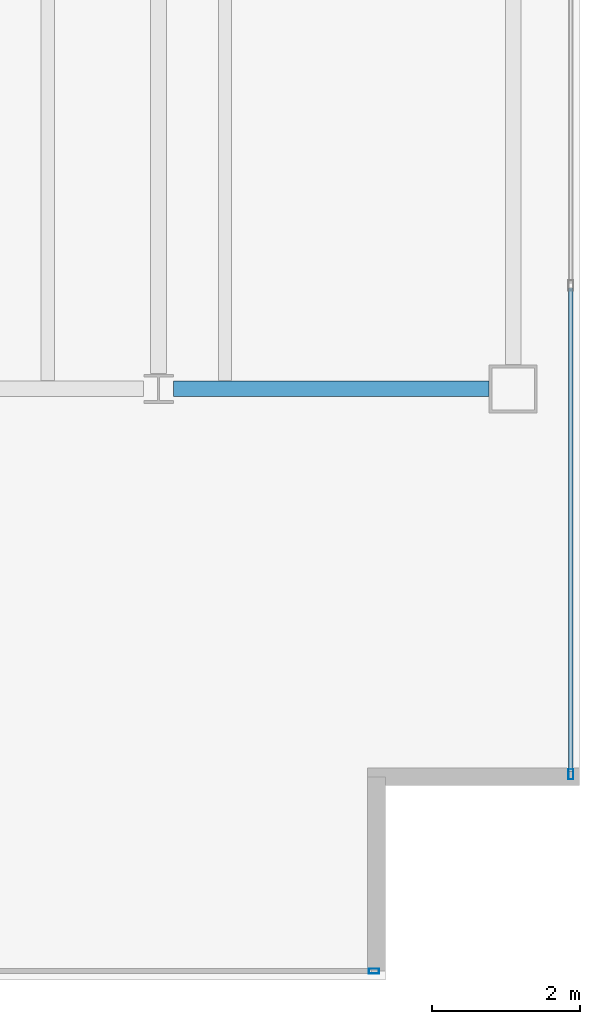
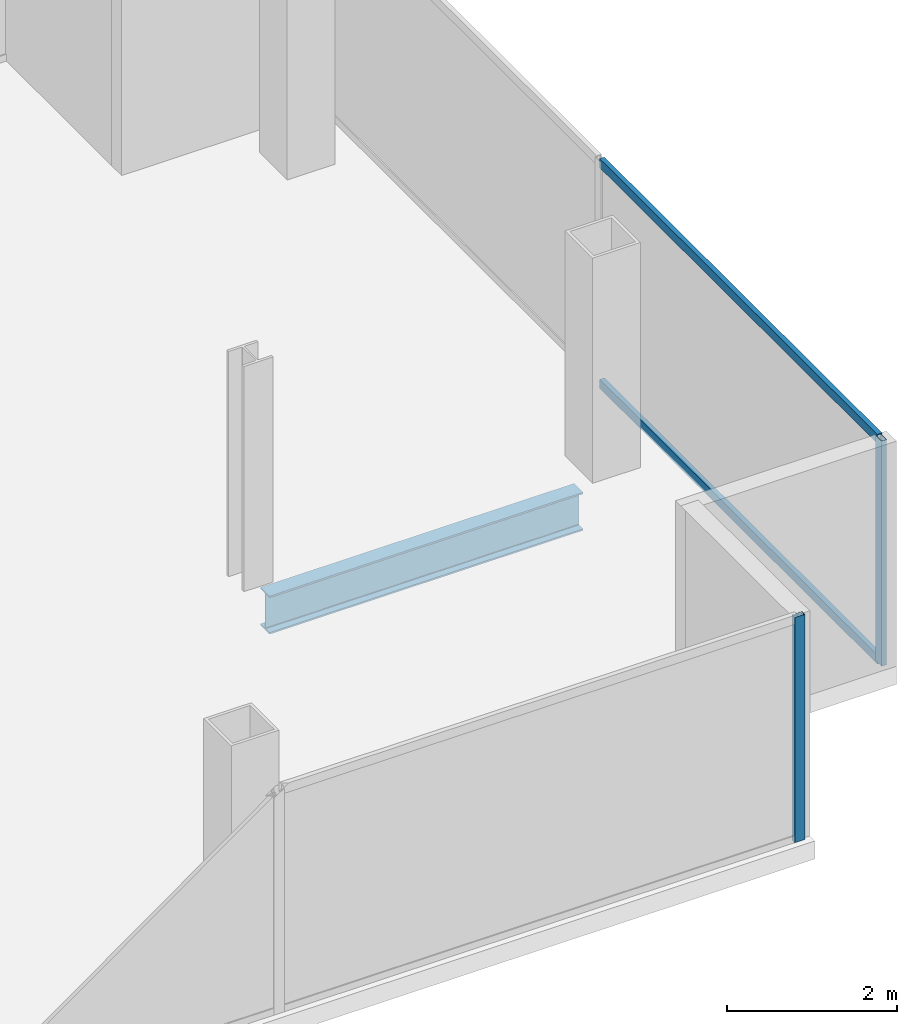
# One storey, part 14 of 23: 4 members, 1 beam, 2 elements without a shape of their own.
"""IFC4 building model written with IfcOpenShell, lengths in metres."""

from ifc_helpers import new_model, si_unit, direction, frame, origin, origin_2d, place, context, subcontext, project, spatial, hollow_rectangle, i_section, extrude, material, material_profile, profile_set, type_object, element, aggregate, save


model = new_model("IFC4")

# Units and contexts
model_context = context("Model", 3, precision=1e-05, world=origin(), true_north=direction((0.0, 1.0)))
body_context = subcontext(model_context, "Body", "Model", "MODEL_VIEW")
ifc_project = project(units=[si_unit("LENGTHUNIT", "METRE"), si_unit("AREAUNIT", "SQUARE_METRE"), si_unit("VOLUMEUNIT", "CUBIC_METRE"), si_unit("PLANEANGLEUNIT", "RADIAN"), si_unit("MASSUNIT", "GRAM", prefix="KILO")], contexts=[model_context])

# Site, building, storey
site_placement = place(None, origin())
site = spatial("IfcSite", under=ifc_project, at=site_placement, CompositionType="ELEMENT")
building_placement = place(site_placement, origin())
building = spatial("IfcBuilding", under=site, at=building_placement, Name="Cobrela Telecom Tower", CompositionType="ELEMENT")
storey_placement = place(building_placement, frame((0.0, 0.0, 276.14990234375)))
storey = spatial("IfcBuildingStorey", under=building, at=storey_placement, Name="L72", CompositionType="ELEMENT", Elevation=276.14990234375)

# Beam
ifc_material_1 = material(Name="Steel ASTM A992 Grade 50", Category="steel")
ifc_material_profile_1 = material_profile(ifc_material_1, i_section(OverallWidth=0.212890625, OverallDepth=0.549072265625, WebThickness=0.0146484375, FlangeThickness=0.023681640625, FilletRadius=0.013916015625, at=origin_2d()), Name="W21X93")
ifc_profile_set_1 = profile_set([ifc_material_profile_1], Name="Steel ASTM A992 Grade 50")
beam_type = type_object("IfcBeamType", Name="BM-GIRD-08", PredefinedType="USERDEFINED", material=ifc_profile_set_1)
beam_placement = place(storey_placement, frame((40.1044921875, 14.39990234375, -0.534423828125), z_axis=(1.0, 0.0, 0.0), x_axis=(0.0, 1.0, 0.0)))
element("IfcBeam", 1, at=beam_placement, inside=storey, type_object=beam_type, Name="L72 Primary Girder X09", ObjectType="GIRDER", PredefinedType="USERDEFINED", context=body_context, shape_type="SweptSolid", body=[
    extrude(i_section(OverallWidth=0.212890625, OverallDepth=0.549072265625, WebThickness=0.0146484375, FlangeThickness=0.023681640625, FilletRadius=0.013916015625, at=origin_2d()), origin(), (0.0, 0.0, 1.0), 4.265625),
])

# Curtain wall, member
ifc_material_2 = material(Name="Anodized Bronze Aluminium 6063-T6", Category="aluminium")
curtain_wall_type = type_object("IfcCurtainWallType", Name="CW-SYS-OFF-HI", PredefinedType="USERDEFINED", material=ifc_material_2)
curtain_wall_1_placement = place(storey_placement, origin())
curtain_wall_1 = element("IfcCurtainWall", 2, at=curtain_wall_1_placement, inside=storey, type_object=curtain_wall_type, Name="L72 Unitised Bronze Curtain Wall 12", ObjectType="UNITISED CURTAIN WALL", PredefinedType="USERDEFINED")
ifc_material_profile_2 = material_profile(ifc_material_2, hollow_rectangle(XDim=0.070068359375, YDim=0.139892578125, WallThickness=0.00390625, at=origin_2d()), Name="ALU 70x140x4")
ifc_profile_set_2 = profile_set([ifc_material_profile_2], Name="Anodized Bronze Aluminium 6063-T6")
member_type_1 = type_object("IfcMemberType", Name="CW-SYS-OFF-HI-MUL", PredefinedType="MULLION", material=ifc_profile_set_2)
member_1_placement = place(storey_placement, frame((45.47998046875, 9.18505859375, 0.0), z_axis=(0.0, 0.0, 1.0), x_axis=(1.0, 0.0, 0.0)))
member_1 = element("IfcMember", 3, at=member_1_placement, type_object=member_type_1, Name="CW-OFF-HI mullion 3", PredefinedType="MULLION", context=body_context, shape_type="SweptSolid", body=[
    extrude(hollow_rectangle(XDim=0.070068359375, YDim=0.139892578125, WallThickness=0.00390625, at=origin_2d()), origin(), (0.0, 0.0, 1.0), 3.239990234375),
])

curtain_wall_2_placement = place(storey_placement, origin())
curtain_wall_2 = element("IfcCurtainWall", 4, at=curtain_wall_2_placement, inside=storey, type_object=curtain_wall_type, Name="L72 Unitised Bronze Curtain Wall 15", ObjectType="UNITISED CURTAIN WALL", PredefinedType="USERDEFINED")
member_2_placement = place(storey_placement, frame((42.81494140625, 6.52001953125, 0.0), z_axis=(0.0, 0.0, 1.0), x_axis=(0.0, -1.0, 0.0)))
member_2 = element("IfcMember", 5, at=member_2_placement, type_object=member_type_1, Name="CW-OFF-HI mullion 1", PredefinedType="MULLION", context=body_context, shape_type="SweptSolid", body=[
    extrude(hollow_rectangle(XDim=0.070068359375, YDim=0.139892578125, WallThickness=0.00390625, at=origin_2d()), origin(), (0.0, 0.0, 1.0), 3.239990234375),
])
aggregate(curtain_wall_2, [member_2])

# Member
ifc_material_profile_3 = material_profile(ifc_material_2, hollow_rectangle(XDim=0.06494140625, YDim=0.1298828125, WallThickness=0.00390625, at=origin_2d()), Name="ALU 65x130x4")
ifc_profile_set_3 = profile_set([ifc_material_profile_3], Name="Anodized Bronze Aluminium 6063-T6")
member_type_2 = type_object("IfcMemberType", Name="CW-SYS-OFF-HI-TRN", PredefinedType="USERDEFINED", material=ifc_profile_set_3)
member_3_placement = place(storey_placement, frame((45.47998046875, 15.764892578125, 0.03271484375), z_axis=(0.0, -1.0, 0.0), x_axis=(1.0, 0.0, 0.0)))
member_3 = element("IfcMember", 6, at=member_3_placement, type_object=member_type_2, Name="CW-OFF-HI transom 2.1", ObjectType="TRANSOM", PredefinedType="USERDEFINED", context=body_context, shape_type="SweptSolid", body=[
    extrude(hollow_rectangle(XDim=0.06494140625, YDim=0.1298828125, WallThickness=0.00390625, at=origin_2d()), origin(), (0.0, 0.0, 1.0), 6.544921875),
])

member_4_placement = place(storey_placement, frame((45.47998046875, 15.764892578125, 3.20751953125), z_axis=(0.0, -1.0, 0.0), x_axis=(1.0, 0.0, 0.0)))
member_4 = element("IfcMember", 7, at=member_4_placement, type_object=member_type_2, Name="CW-OFF-HI transom 2.2", ObjectType="TRANSOM", PredefinedType="USERDEFINED", context=body_context, shape_type="SweptSolid", body=[
    extrude(hollow_rectangle(XDim=0.06494140625, YDim=0.1298828125, WallThickness=0.00390625, at=origin_2d()), origin(), (0.0, 0.0, 1.0), 6.544921875),
])

aggregate(curtain_wall_1, [member_1, member_3, member_4])

save(model, "model.ifc")
